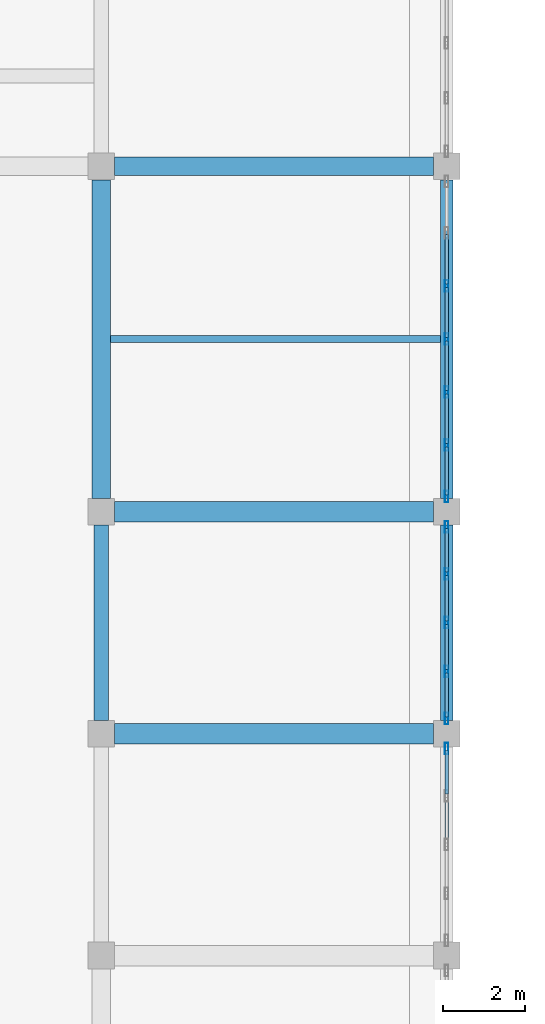
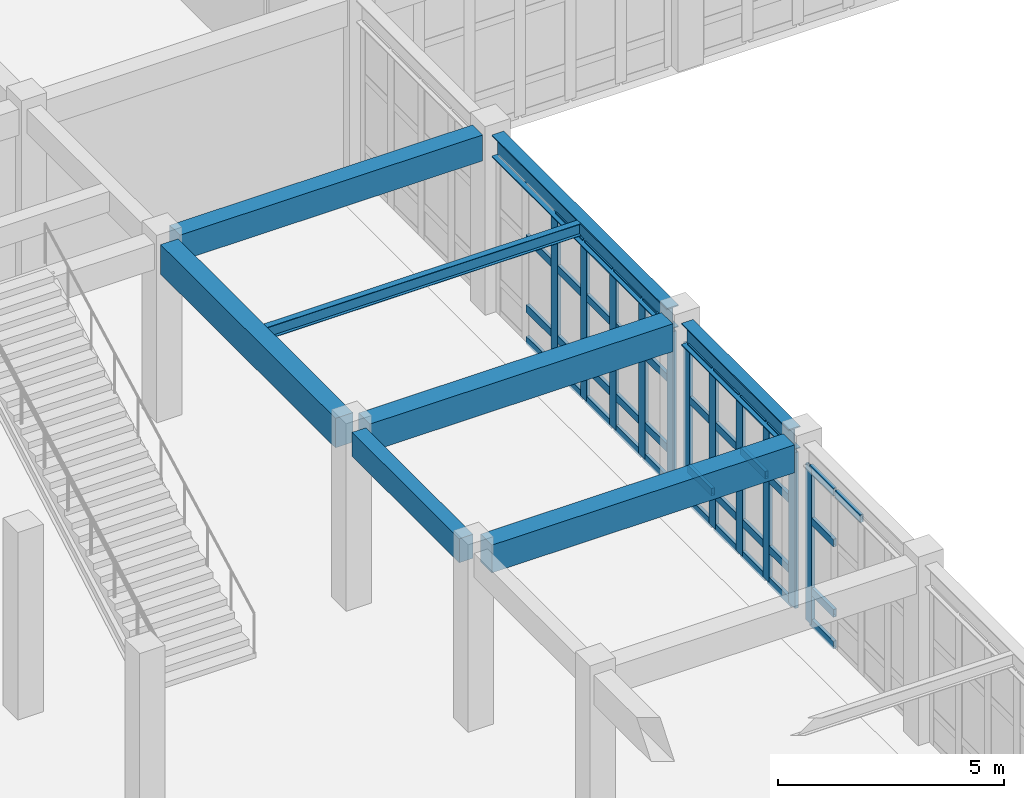
# One storey, part 28 of 80: 51 members, 8 beams, 3 elements without a shape of their own.
"""IFC4 building model written with IfcOpenShell, lengths in metres."""

from ifc_helpers import new_model, si_unit, direction, frame, origin, origin_2d, place, context, subcontext, project, spatial, rectangle, hollow_rectangle, i_section, extrude, material, layer, layer_set, material_profile, profile_set, type_object, element, aggregate, save


model = new_model("IFC4")

# Units and contexts
model_context = context("Model", 3, precision=1e-05, world=origin(), true_north=direction((0.0, 1.0)))
body_context = subcontext(model_context, "Body", "Model", "MODEL_VIEW")
ifc_project = project(units=[si_unit("LENGTHUNIT", "METRE"), si_unit("AREAUNIT", "SQUARE_METRE"), si_unit("VOLUMEUNIT", "CUBIC_METRE"), si_unit("PLANEANGLEUNIT", "RADIAN"), si_unit("MASSUNIT", "GRAM", prefix="KILO")], contexts=[model_context])

# Site, building, storey
site_placement = place(None, origin())
site = spatial("IfcSite", under=ifc_project, at=site_placement, CompositionType="ELEMENT")
building_placement = place(site_placement, origin())
building = spatial("IfcBuilding", under=site, at=building_placement, Name="Krzemoval Escarpment Law Courts", CompositionType="ELEMENT")
storey_placement = place(building_placement, origin())
storey = spatial("IfcBuildingStorey", under=building, at=storey_placement, Name="L00", CompositionType="ELEMENT", Elevation=0.0)

# Beams
ifc_material_1 = material(Name="Concrete C40/50", Category="concrete")
ifc_material_profile_1 = material_profile(ifc_material_1, rectangle(XDim=0.35009765625, YDim=0.64990234375, at=origin_2d()), Name="RCB 350x650")
ifc_profile_set_1 = profile_set([ifc_material_profile_1], Name="Concrete C40/50")
beam_type_1 = type_object("IfcBeamType", Name="BM-RC-350x650", PredefinedType="BEAM", material=ifc_profile_set_1)
beam_1_placement = place(storey_placement, frame((33.60009765625, 80.125, 4.4951171875), z_axis=(0.0, 1.0, 0.0), x_axis=(-1.0, 0.0, 0.0)))
element("IfcBeam", 1, at=beam_1_placement, inside=storey, type_object=beam_type_1, Name="Beam FG-L00-0872", PredefinedType="BEAM", context=body_context, shape_type="SweptSolid", body=[
    extrude(rectangle(XDim=0.35009765625, YDim=0.64990234375, at=origin_2d()), origin(), (0.0, 0.0, 1.0), 4.75),
])
ifc_material_2 = material(Name="Concrete C40/50", Category="concrete")
ifc_material_profile_2 = material_profile(ifc_material_2, rectangle(XDim=0.449951171875, YDim=0.699951171875, at=origin_2d()), Name="RCB 450x700")
ifc_profile_set_2 = profile_set([ifc_material_profile_2], Name="Concrete C40/50")
beam_type_2 = type_object("IfcBeamType", Name="BM-RC-450x700", PredefinedType="BEAM", material=ifc_profile_set_2)
beam_2_placement = place(storey_placement, frame((33.925048828125, 93.60009765625, 4.469970703125), z_axis=(1.0, 0.0, 0.0), x_axis=(0.0, 1.0, 0.0)))
element("IfcBeam", 2, at=beam_2_placement, inside=storey, type_object=beam_type_2, Name="Beam FG-L00-0733", PredefinedType="BEAM", context=body_context, shape_type="SweptSolid", body=[
    extrude(rectangle(XDim=0.449951171875, YDim=0.699951171875, at=origin_2d()), origin(), (0.0, 0.0, 1.0), 7.75),
])
ifc_material_3 = material(Name="Concrete C40/50", Category="concrete")
ifc_material_profile_3 = material_profile(ifc_material_3, rectangle(XDim=0.449951171875, YDim=0.800048828125, at=origin_2d()), Name="RCB 450x800")
ifc_profile_set_3 = profile_set([ifc_material_profile_3], Name="Concrete C40/50")
beam_type_3 = type_object("IfcBeamType", Name="BM-RC-450x800", PredefinedType="BEAM", material=ifc_profile_set_3)
beam_3_placement = place(storey_placement, frame((33.60009765625, 85.52490234375, 4.419921875), z_axis=(0.0, 1.0, 0.0), x_axis=(-1.0, 0.0, 0.0)))
element("IfcBeam", 3, at=beam_3_placement, inside=storey, type_object=beam_type_3, Name="Beam FG-L00-0873", PredefinedType="BEAM", context=body_context, shape_type="SweptSolid", body=[
    extrude(rectangle(XDim=0.449951171875, YDim=0.800048828125, at=origin_2d()), origin(), (0.0, 0.0, 1.0), 7.75),
])
ifc_material_4 = material(Name="Concrete C40/50", Category="concrete")
ifc_material_profile_4 = material_profile(ifc_material_4, rectangle(XDim=0.5, YDim=0.75, at=origin_2d()), Name="RCB 500x750")
ifc_profile_set_4 = profile_set([ifc_material_profile_4], Name="Concrete C40/50")
beam_type_4 = type_object("IfcBeamType", Name="BM-RC-500x750", PredefinedType="BEAM", material=ifc_profile_set_4)
for number, where, z_axis, x_axis, name in (
    (4, (33.925048828125, 79.800048828125, 4.445068359375), (1.0, 0.0, 0.0), (0.0, 1.0, 0.0), "Beam FG-L00-0723"),
    (5, (33.925048828125, 85.199951171875, 4.445068359375), (1.0, 0.0, 0.0), (0.0, 1.0, 0.0), "Beam FG-L00-0727"),
):
    element("IfcBeam", number, at=place(storey_placement, frame(where, z_axis=z_axis, x_axis=x_axis)), inside=storey, type_object=beam_type_4, Name=name, PredefinedType="BEAM", context=body_context, shape_type="SweptSolid", body=[
        extrude(rectangle(XDim=0.5, YDim=0.75, at=origin_2d()), origin(), (0.0, 0.0, 1.0), 7.75),
    ])

# Curtain wall, members
ifc_material_5 = material(Name="Aluminium 6063-T6", Category="aluminium")
ifc_layer = layer(ifc_material_5, 0.280029296875)
ifc_layer_set = layer_set([ifc_layer], Name="Aluminium 6063-T6")
curtain_wall_type = type_object("IfcCurtainWallType", Name="CW-HALL-5100", PredefinedType="USERDEFINED", material=ifc_layer_set)
curtain_wall_1_placement = place(storey_placement, origin())
curtain_wall_1 = element("IfcCurtainWall", 6, at=curtain_wall_1_placement, inside=storey, type_object=curtain_wall_type, Name="Unitised Curtain Wall FCW-L00-016", ObjectType="UNITISED_CURTAIN_WALL", PredefinedType="USERDEFINED")
ifc_material_6 = material(Name="Aluminium 6063-T6", Category="aluminium")
ifc_material_profile_5 = material_profile(ifc_material_6, hollow_rectangle(XDim=0.0849609375, YDim=0.280029296875, WallThickness=0.005615234375, at=origin_2d()), Name="ALU M85x280")
ifc_profile_set_5 = profile_set([ifc_material_profile_5], Name="Aluminium 6063-T6")
member_type_1 = type_object("IfcMemberType", Name="CWM-85x280", PredefinedType="MULLION", material=ifc_profile_set_5)
member_1_placement = place(storey_placement, frame((42.0, 90.691650390625, 0.0), z_axis=(0.0, 0.0, 1.0), x_axis=(1.0, 0.0, 0.0)))
member_1 = element("IfcMember", 7, at=member_1_placement, type_object=member_type_1, Name="FCW-L00-016 mullion 3", PredefinedType="MULLION", context=body_context, shape_type="SweptSolid", body=[
    extrude(hollow_rectangle(XDim=0.0849609375, YDim=0.280029296875, WallThickness=0.005615234375, at=origin_2d()), origin(), (0.0, 0.0, 1.0), 4.219970703125),
])
member_2_placement = place(storey_placement, frame((42.0, 89.39990234375, 0.0), z_axis=(0.0, 0.0, 1.0), x_axis=(1.0, 0.0, 0.0)))
member_2 = element("IfcMember", 8, at=member_2_placement, type_object=member_type_1, Name="FCW-L00-016 mullion 4", PredefinedType="MULLION", context=body_context, shape_type="SweptSolid", body=[
    extrude(hollow_rectangle(XDim=0.0849609375, YDim=0.280029296875, WallThickness=0.005615234375, at=origin_2d()), origin(), (0.0, 0.0, 1.0), 4.219970703125),
])
member_3_placement = place(storey_placement, frame((42.0, 88.1083984375, 0.0), z_axis=(0.0, 0.0, 1.0), x_axis=(1.0, 0.0, 0.0)))
member_3 = element("IfcMember", 9, at=member_3_placement, type_object=member_type_1, Name="FCW-L00-016 mullion 5", PredefinedType="MULLION", context=body_context, shape_type="SweptSolid", body=[
    extrude(hollow_rectangle(XDim=0.0849609375, YDim=0.280029296875, WallThickness=0.005615234375, at=origin_2d()), origin(), (0.0, 0.0, 1.0), 4.219970703125),
])
member_4_placement = place(storey_placement, frame((42.0, 86.816650390625, 0.0), z_axis=(0.0, 0.0, 1.0), x_axis=(1.0, 0.0, 0.0)))
member_4 = element("IfcMember", 10, at=member_4_placement, type_object=member_type_1, Name="FCW-L00-016 mullion 6", PredefinedType="MULLION", context=body_context, shape_type="SweptSolid", body=[
    extrude(hollow_rectangle(XDim=0.0849609375, YDim=0.280029296875, WallThickness=0.005615234375, at=origin_2d()), origin(), (0.0, 0.0, 1.0), 4.219970703125),
])
member_5_placement = place(storey_placement, frame((42.0, 85.5673828125, 0.0), z_axis=(0.0, 0.0, 1.0), x_axis=(1.0, 0.0, 0.0)))
member_5 = element("IfcMember", 11, at=member_5_placement, type_object=member_type_1, Name="FCW-L00-016 mullion 7", PredefinedType="MULLION", context=body_context, shape_type="SweptSolid", body=[
    extrude(hollow_rectangle(XDim=0.0849609375, YDim=0.280029296875, WallThickness=0.005615234375, at=origin_2d()), origin(), (0.0, 0.0, 1.0), 4.219970703125),
])

curtain_wall_2_placement = place(storey_placement, origin())
curtain_wall_2 = element("IfcCurtainWall", 12, at=curtain_wall_2_placement, inside=storey, type_object=curtain_wall_type, Name="Unitised Curtain Wall FCW-L00-017", ObjectType="UNITISED_CURTAIN_WALL", PredefinedType="USERDEFINED")
member_6_placement = place(storey_placement, frame((42.0, 84.83251953125, 0.0), z_axis=(0.0, 0.0, 1.0), x_axis=(1.0, 0.0, 0.0)))
member_6 = element("IfcMember", 13, at=member_6_placement, type_object=member_type_1, Name="FCW-L00-017 mullion 1", PredefinedType="MULLION", context=body_context, shape_type="SweptSolid", body=[
    extrude(hollow_rectangle(XDim=0.0849609375, YDim=0.280029296875, WallThickness=0.005615234375, at=origin_2d()), origin(), (0.0, 0.0, 1.0), 4.219970703125),
])
member_7_placement = place(storey_placement, frame((42.0, 83.6875, 0.0), z_axis=(0.0, 0.0, 1.0), x_axis=(1.0, 0.0, 0.0)))
member_7 = element("IfcMember", 14, at=member_7_placement, type_object=member_type_1, Name="FCW-L00-017 mullion 2", PredefinedType="MULLION", context=body_context, shape_type="SweptSolid", body=[
    extrude(hollow_rectangle(XDim=0.0849609375, YDim=0.280029296875, WallThickness=0.005615234375, at=origin_2d()), origin(), (0.0, 0.0, 1.0), 4.219970703125),
])
member_8_placement = place(storey_placement, frame((42.0, 82.5, 0.0), z_axis=(0.0, 0.0, 1.0), x_axis=(1.0, 0.0, 0.0)))
member_8 = element("IfcMember", 15, at=member_8_placement, type_object=member_type_1, Name="FCW-L00-017 mullion 3", PredefinedType="MULLION", context=body_context, shape_type="SweptSolid", body=[
    extrude(hollow_rectangle(XDim=0.0849609375, YDim=0.280029296875, WallThickness=0.005615234375, at=origin_2d()), origin(), (0.0, 0.0, 1.0), 4.219970703125),
])
member_9_placement = place(storey_placement, frame((42.0, 81.3125, 0.0), z_axis=(0.0, 0.0, 1.0), x_axis=(1.0, 0.0, 0.0)))
member_9 = element("IfcMember", 16, at=member_9_placement, type_object=member_type_1, Name="FCW-L00-017 mullion 4", PredefinedType="MULLION", context=body_context, shape_type="SweptSolid", body=[
    extrude(hollow_rectangle(XDim=0.0849609375, YDim=0.280029296875, WallThickness=0.005615234375, at=origin_2d()), origin(), (0.0, 0.0, 1.0), 4.219970703125),
])
member_10_placement = place(storey_placement, frame((42.0, 80.16748046875, 0.0), z_axis=(0.0, 0.0, 1.0), x_axis=(1.0, 0.0, 0.0)))
member_10 = element("IfcMember", 17, at=member_10_placement, type_object=member_type_1, Name="FCW-L00-017 mullion 5", PredefinedType="MULLION", context=body_context, shape_type="SweptSolid", body=[
    extrude(hollow_rectangle(XDim=0.0849609375, YDim=0.280029296875, WallThickness=0.005615234375, at=origin_2d()), origin(), (0.0, 0.0, 1.0), 4.219970703125),
])

# Curtain wall, member
curtain_wall_3_placement = place(storey_placement, origin())
curtain_wall_3 = element("IfcCurtainWall", 18, at=curtain_wall_3_placement, inside=storey, type_object=curtain_wall_type, Name="Unitised Curtain Wall FCW-L00-018", ObjectType="UNITISED_CURTAIN_WALL", PredefinedType="USERDEFINED")
member_11_placement = place(storey_placement, frame((42.0, 79.4326171875, 0.0), z_axis=(0.0, 0.0, 1.0), x_axis=(1.0, 0.0, 0.0)))
member_11 = element("IfcMember", 19, at=member_11_placement, type_object=member_type_1, Name="FCW-L00-018 mullion 1", PredefinedType="MULLION", context=body_context, shape_type="SweptSolid", body=[
    extrude(hollow_rectangle(XDim=0.0849609375, YDim=0.280029296875, WallThickness=0.005615234375, at=origin_2d()), origin(), (0.0, 0.0, 1.0), 4.219970703125),
])

# Member
ifc_material_7 = material(Name="Aluminium 6063-T6", Category="aluminium")
ifc_material_profile_6 = material_profile(ifc_material_7, hollow_rectangle(XDim=0.0849609375, YDim=0.2099609375, WallThickness=0.005615234375, at=origin_2d()), Name="ALU T85x210")
ifc_profile_set_6 = profile_set([ifc_material_profile_6], Name="Aluminium 6063-T6")
member_type_2 = type_object("IfcMemberType", Name="CWT-85x210", PredefinedType="USERDEFINED", material=ifc_profile_set_6)
member_12_placement = place(storey_placement, frame((42.0, 91.94091796875, 0.04248046875), z_axis=(0.0, -1.0, 0.0), x_axis=(1.0, 0.0, 0.0)))
member_12 = element("IfcMember", 20, at=member_12_placement, type_object=member_type_2, Name="FCW-L00-016 transom 2.1", ObjectType="TRANSOM", PredefinedType="USERDEFINED", context=body_context, shape_type="SweptSolid", body=[
    extrude(hollow_rectangle(XDim=0.0849609375, YDim=0.2099609375, WallThickness=0.005615234375, at=origin_2d()), origin(), (0.0, 0.0, 1.0), 1.206787109375),
])

member_13_placement = place(storey_placement, frame((42.0, 91.94091796875, 0.89990234375), z_axis=(0.0, -1.0, 0.0), x_axis=(1.0, 0.0, 0.0)))
member_13 = element("IfcMember", 21, at=member_13_placement, type_object=member_type_2, Name="FCW-L00-016 transom 2.2", ObjectType="TRANSOM", PredefinedType="USERDEFINED", context=body_context, shape_type="SweptSolid", body=[
    extrude(hollow_rectangle(XDim=0.0849609375, YDim=0.2099609375, WallThickness=0.005615234375, at=origin_2d()), origin(), (0.0, 0.0, 1.0), 1.206787109375),
])

member_14_placement = place(storey_placement, frame((42.0, 91.94091796875, 2.800048828125), z_axis=(0.0, -1.0, 0.0), x_axis=(1.0, 0.0, 0.0)))
member_14 = element("IfcMember", 22, at=member_14_placement, type_object=member_type_2, Name="FCW-L00-016 transom 2.3", ObjectType="TRANSOM", PredefinedType="USERDEFINED", context=body_context, shape_type="SweptSolid", body=[
    extrude(hollow_rectangle(XDim=0.0849609375, YDim=0.2099609375, WallThickness=0.005615234375, at=origin_2d()), origin(), (0.0, 0.0, 1.0), 1.206787109375),
])

member_15_placement = place(storey_placement, frame((42.0, 90.649169921875, 0.04248046875), z_axis=(0.0, -1.0, 0.0), x_axis=(1.0, 0.0, 0.0)))
member_15 = element("IfcMember", 23, at=member_15_placement, type_object=member_type_2, Name="FCW-L00-016 transom 3.1", ObjectType="TRANSOM", PredefinedType="USERDEFINED", context=body_context, shape_type="SweptSolid", body=[
    extrude(hollow_rectangle(XDim=0.0849609375, YDim=0.2099609375, WallThickness=0.005615234375, at=origin_2d()), origin(), (0.0, 0.0, 1.0), 1.206787109375),
])

member_16_placement = place(storey_placement, frame((42.0, 90.649169921875, 0.89990234375), z_axis=(0.0, -1.0, 0.0), x_axis=(1.0, 0.0, 0.0)))
member_16 = element("IfcMember", 24, at=member_16_placement, type_object=member_type_2, Name="FCW-L00-016 transom 3.2", ObjectType="TRANSOM", PredefinedType="USERDEFINED", context=body_context, shape_type="SweptSolid", body=[
    extrude(hollow_rectangle(XDim=0.0849609375, YDim=0.2099609375, WallThickness=0.005615234375, at=origin_2d()), origin(), (0.0, 0.0, 1.0), 1.206787109375),
])

member_17_placement = place(storey_placement, frame((42.0, 90.649169921875, 2.800048828125), z_axis=(0.0, -1.0, 0.0), x_axis=(1.0, 0.0, 0.0)))
member_17 = element("IfcMember", 25, at=member_17_placement, type_object=member_type_2, Name="FCW-L00-016 transom 3.3", ObjectType="TRANSOM", PredefinedType="USERDEFINED", context=body_context, shape_type="SweptSolid", body=[
    extrude(hollow_rectangle(XDim=0.0849609375, YDim=0.2099609375, WallThickness=0.005615234375, at=origin_2d()), origin(), (0.0, 0.0, 1.0), 1.206787109375),
])

member_18_placement = place(storey_placement, frame((42.0, 90.649169921875, 4.177490234375), z_axis=(0.0, -1.0, 0.0), x_axis=(1.0, 0.0, 0.0)))
member_18 = element("IfcMember", 26, at=member_18_placement, type_object=member_type_2, Name="FCW-L00-016 transom 3.4", ObjectType="TRANSOM", PredefinedType="USERDEFINED", context=body_context, shape_type="SweptSolid", body=[
    extrude(hollow_rectangle(XDim=0.0849609375, YDim=0.2099609375, WallThickness=0.005615234375, at=origin_2d()), origin(), (0.0, 0.0, 1.0), 1.206787109375),
])

member_19_placement = place(storey_placement, frame((42.0, 89.357421875, 0.04248046875), z_axis=(0.0, -1.0, 0.0), x_axis=(1.0, 0.0, 0.0)))
member_19 = element("IfcMember", 27, at=member_19_placement, type_object=member_type_2, Name="FCW-L00-016 transom 4.1", ObjectType="TRANSOM", PredefinedType="USERDEFINED", context=body_context, shape_type="SweptSolid", body=[
    extrude(hollow_rectangle(XDim=0.0849609375, YDim=0.2099609375, WallThickness=0.005615234375, at=origin_2d()), origin(), (0.0, 0.0, 1.0), 1.20654296875),
])

member_20_placement = place(storey_placement, frame((42.0, 89.357421875, 0.89990234375), z_axis=(0.0, -1.0, 0.0), x_axis=(1.0, 0.0, 0.0)))
member_20 = element("IfcMember", 28, at=member_20_placement, type_object=member_type_2, Name="FCW-L00-016 transom 4.2", ObjectType="TRANSOM", PredefinedType="USERDEFINED", context=body_context, shape_type="SweptSolid", body=[
    extrude(hollow_rectangle(XDim=0.0849609375, YDim=0.2099609375, WallThickness=0.005615234375, at=origin_2d()), origin(), (0.0, 0.0, 1.0), 1.20654296875),
])

member_21_placement = place(storey_placement, frame((42.0, 89.357421875, 2.800048828125), z_axis=(0.0, -1.0, 0.0), x_axis=(1.0, 0.0, 0.0)))
member_21 = element("IfcMember", 29, at=member_21_placement, type_object=member_type_2, Name="FCW-L00-016 transom 4.3", ObjectType="TRANSOM", PredefinedType="USERDEFINED", context=body_context, shape_type="SweptSolid", body=[
    extrude(hollow_rectangle(XDim=0.0849609375, YDim=0.2099609375, WallThickness=0.005615234375, at=origin_2d()), origin(), (0.0, 0.0, 1.0), 1.20654296875),
])

member_22_placement = place(storey_placement, frame((42.0, 89.357421875, 4.177490234375), z_axis=(0.0, -1.0, 0.0), x_axis=(1.0, 0.0, 0.0)))
member_22 = element("IfcMember", 30, at=member_22_placement, type_object=member_type_2, Name="FCW-L00-016 transom 4.4", ObjectType="TRANSOM", PredefinedType="USERDEFINED", context=body_context, shape_type="SweptSolid", body=[
    extrude(hollow_rectangle(XDim=0.0849609375, YDim=0.2099609375, WallThickness=0.005615234375, at=origin_2d()), origin(), (0.0, 0.0, 1.0), 1.20654296875),
])

member_23_placement = place(storey_placement, frame((42.0, 88.06591796875, 0.04248046875), z_axis=(0.0, -1.0, 0.0), x_axis=(1.0, 0.0, 0.0)))
member_23 = element("IfcMember", 31, at=member_23_placement, type_object=member_type_2, Name="FCW-L00-016 transom 5.1", ObjectType="TRANSOM", PredefinedType="USERDEFINED", context=body_context, shape_type="SweptSolid", body=[
    extrude(hollow_rectangle(XDim=0.0849609375, YDim=0.2099609375, WallThickness=0.005615234375, at=origin_2d()), origin(), (0.0, 0.0, 1.0), 1.206787109375),
])

member_24_placement = place(storey_placement, frame((42.0, 88.06591796875, 0.89990234375), z_axis=(0.0, -1.0, 0.0), x_axis=(1.0, 0.0, 0.0)))
member_24 = element("IfcMember", 32, at=member_24_placement, type_object=member_type_2, Name="FCW-L00-016 transom 5.2", ObjectType="TRANSOM", PredefinedType="USERDEFINED", context=body_context, shape_type="SweptSolid", body=[
    extrude(hollow_rectangle(XDim=0.0849609375, YDim=0.2099609375, WallThickness=0.005615234375, at=origin_2d()), origin(), (0.0, 0.0, 1.0), 1.206787109375),
])

member_25_placement = place(storey_placement, frame((42.0, 88.06591796875, 2.800048828125), z_axis=(0.0, -1.0, 0.0), x_axis=(1.0, 0.0, 0.0)))
member_25 = element("IfcMember", 33, at=member_25_placement, type_object=member_type_2, Name="FCW-L00-016 transom 5.3", ObjectType="TRANSOM", PredefinedType="USERDEFINED", context=body_context, shape_type="SweptSolid", body=[
    extrude(hollow_rectangle(XDim=0.0849609375, YDim=0.2099609375, WallThickness=0.005615234375, at=origin_2d()), origin(), (0.0, 0.0, 1.0), 1.206787109375),
])

member_26_placement = place(storey_placement, frame((42.0, 88.06591796875, 4.177490234375), z_axis=(0.0, -1.0, 0.0), x_axis=(1.0, 0.0, 0.0)))
member_26 = element("IfcMember", 34, at=member_26_placement, type_object=member_type_2, Name="FCW-L00-016 transom 5.4", ObjectType="TRANSOM", PredefinedType="USERDEFINED", context=body_context, shape_type="SweptSolid", body=[
    extrude(hollow_rectangle(XDim=0.0849609375, YDim=0.2099609375, WallThickness=0.005615234375, at=origin_2d()), origin(), (0.0, 0.0, 1.0), 1.206787109375),
])

member_27_placement = place(storey_placement, frame((42.0, 86.774169921875, 0.04248046875), z_axis=(0.0, -1.0, 0.0), x_axis=(1.0, 0.0, 0.0)))
member_27 = element("IfcMember", 35, at=member_27_placement, type_object=member_type_2, Name="FCW-L00-016 transom 6.1", ObjectType="TRANSOM", PredefinedType="USERDEFINED", context=body_context, shape_type="SweptSolid", body=[
    extrude(hollow_rectangle(XDim=0.0849609375, YDim=0.2099609375, WallThickness=0.005615234375, at=origin_2d()), origin(), (0.0, 0.0, 1.0), 1.1640625),
])

member_28_placement = place(storey_placement, frame((42.0, 86.774169921875, 0.89990234375), z_axis=(0.0, -1.0, 0.0), x_axis=(1.0, 0.0, 0.0)))
member_28 = element("IfcMember", 36, at=member_28_placement, type_object=member_type_2, Name="FCW-L00-016 transom 6.2", ObjectType="TRANSOM", PredefinedType="USERDEFINED", context=body_context, shape_type="SweptSolid", body=[
    extrude(hollow_rectangle(XDim=0.0849609375, YDim=0.2099609375, WallThickness=0.005615234375, at=origin_2d()), origin(), (0.0, 0.0, 1.0), 1.1640625),
])

member_29_placement = place(storey_placement, frame((42.0, 86.774169921875, 2.800048828125), z_axis=(0.0, -1.0, 0.0), x_axis=(1.0, 0.0, 0.0)))
member_29 = element("IfcMember", 37, at=member_29_placement, type_object=member_type_2, Name="FCW-L00-016 transom 6.3", ObjectType="TRANSOM", PredefinedType="USERDEFINED", context=body_context, shape_type="SweptSolid", body=[
    extrude(hollow_rectangle(XDim=0.0849609375, YDim=0.2099609375, WallThickness=0.005615234375, at=origin_2d()), origin(), (0.0, 0.0, 1.0), 1.1640625),
])

member_30_placement = place(storey_placement, frame((42.0, 86.774169921875, 4.177490234375), z_axis=(0.0, -1.0, 0.0), x_axis=(1.0, 0.0, 0.0)))
member_30 = element("IfcMember", 38, at=member_30_placement, type_object=member_type_2, Name="FCW-L00-016 transom 6.4", ObjectType="TRANSOM", PredefinedType="USERDEFINED", context=body_context, shape_type="SweptSolid", body=[
    extrude(hollow_rectangle(XDim=0.0849609375, YDim=0.2099609375, WallThickness=0.005615234375, at=origin_2d()), origin(), (0.0, 0.0, 1.0), 1.1640625),
])

aggregate(curtain_wall_1, [member_1, member_2, member_3, member_4, member_5, member_12, member_13, member_14, member_15, member_16, member_17, member_18, member_19, member_20, member_21, member_22, member_23, member_24, member_25, member_26, member_27, member_28, member_29, member_30])

member_31_placement = place(storey_placement, frame((42.0, 84.7900390625, 0.04248046875), z_axis=(0.0, -1.0, 0.0), x_axis=(1.0, 0.0, 0.0)))
member_31 = element("IfcMember", 39, at=member_31_placement, type_object=member_type_2, Name="FCW-L00-017 transom 1.1", ObjectType="TRANSOM", PredefinedType="USERDEFINED", context=body_context, shape_type="SweptSolid", body=[
    extrude(hollow_rectangle(XDim=0.0849609375, YDim=0.2099609375, WallThickness=0.005615234375, at=origin_2d()), origin(), (0.0, 0.0, 1.0), 1.06005859375),
])

member_32_placement = place(storey_placement, frame((42.0, 84.7900390625, 0.89990234375), z_axis=(0.0, -1.0, 0.0), x_axis=(1.0, 0.0, 0.0)))
member_32 = element("IfcMember", 40, at=member_32_placement, type_object=member_type_2, Name="FCW-L00-017 transom 1.2", ObjectType="TRANSOM", PredefinedType="USERDEFINED", context=body_context, shape_type="SweptSolid", body=[
    extrude(hollow_rectangle(XDim=0.0849609375, YDim=0.2099609375, WallThickness=0.005615234375, at=origin_2d()), origin(), (0.0, 0.0, 1.0), 1.06005859375),
])

member_33_placement = place(storey_placement, frame((42.0, 84.7900390625, 2.800048828125), z_axis=(0.0, -1.0, 0.0), x_axis=(1.0, 0.0, 0.0)))
member_33 = element("IfcMember", 41, at=member_33_placement, type_object=member_type_2, Name="FCW-L00-017 transom 1.3", ObjectType="TRANSOM", PredefinedType="USERDEFINED", context=body_context, shape_type="SweptSolid", body=[
    extrude(hollow_rectangle(XDim=0.0849609375, YDim=0.2099609375, WallThickness=0.005615234375, at=origin_2d()), origin(), (0.0, 0.0, 1.0), 1.06005859375),
])

member_34_placement = place(storey_placement, frame((42.0, 84.7900390625, 4.177490234375), z_axis=(0.0, -1.0, 0.0), x_axis=(1.0, 0.0, 0.0)))
member_34 = element("IfcMember", 42, at=member_34_placement, type_object=member_type_2, Name="FCW-L00-017 transom 1.4", ObjectType="TRANSOM", PredefinedType="USERDEFINED", context=body_context, shape_type="SweptSolid", body=[
    extrude(hollow_rectangle(XDim=0.0849609375, YDim=0.2099609375, WallThickness=0.005615234375, at=origin_2d()), origin(), (0.0, 0.0, 1.0), 1.06005859375),
])

member_35_placement = place(storey_placement, frame((42.0, 83.64501953125, 0.04248046875), z_axis=(0.0, -1.0, 0.0), x_axis=(1.0, 0.0, 0.0)))
member_35 = element("IfcMember", 43, at=member_35_placement, type_object=member_type_2, Name="FCW-L00-017 transom 2.1", ObjectType="TRANSOM", PredefinedType="USERDEFINED", context=body_context, shape_type="SweptSolid", body=[
    extrude(hollow_rectangle(XDim=0.0849609375, YDim=0.2099609375, WallThickness=0.005615234375, at=origin_2d()), origin(), (0.0, 0.0, 1.0), 1.1025390625),
])

member_36_placement = place(storey_placement, frame((42.0, 83.64501953125, 0.89990234375), z_axis=(0.0, -1.0, 0.0), x_axis=(1.0, 0.0, 0.0)))
member_36 = element("IfcMember", 44, at=member_36_placement, type_object=member_type_2, Name="FCW-L00-017 transom 2.2", ObjectType="TRANSOM", PredefinedType="USERDEFINED", context=body_context, shape_type="SweptSolid", body=[
    extrude(hollow_rectangle(XDim=0.0849609375, YDim=0.2099609375, WallThickness=0.005615234375, at=origin_2d()), origin(), (0.0, 0.0, 1.0), 1.1025390625),
])

member_37_placement = place(storey_placement, frame((42.0, 83.64501953125, 2.800048828125), z_axis=(0.0, -1.0, 0.0), x_axis=(1.0, 0.0, 0.0)))
member_37 = element("IfcMember", 45, at=member_37_placement, type_object=member_type_2, Name="FCW-L00-017 transom 2.3", ObjectType="TRANSOM", PredefinedType="USERDEFINED", context=body_context, shape_type="SweptSolid", body=[
    extrude(hollow_rectangle(XDim=0.0849609375, YDim=0.2099609375, WallThickness=0.005615234375, at=origin_2d()), origin(), (0.0, 0.0, 1.0), 1.1025390625),
])

member_38_placement = place(storey_placement, frame((42.0, 83.64501953125, 4.177490234375), z_axis=(0.0, -1.0, 0.0), x_axis=(1.0, 0.0, 0.0)))
member_38 = element("IfcMember", 46, at=member_38_placement, type_object=member_type_2, Name="FCW-L00-017 transom 2.4", ObjectType="TRANSOM", PredefinedType="USERDEFINED", context=body_context, shape_type="SweptSolid", body=[
    extrude(hollow_rectangle(XDim=0.0849609375, YDim=0.2099609375, WallThickness=0.005615234375, at=origin_2d()), origin(), (0.0, 0.0, 1.0), 1.1025390625),
])

member_39_placement = place(storey_placement, frame((42.0, 82.45751953125, 0.04248046875), z_axis=(0.0, -1.0, 0.0), x_axis=(1.0, 0.0, 0.0)))
member_39 = element("IfcMember", 47, at=member_39_placement, type_object=member_type_2, Name="FCW-L00-017 transom 3.1", ObjectType="TRANSOM", PredefinedType="USERDEFINED", context=body_context, shape_type="SweptSolid", body=[
    extrude(hollow_rectangle(XDim=0.0849609375, YDim=0.2099609375, WallThickness=0.005615234375, at=origin_2d()), origin(), (0.0, 0.0, 1.0), 1.1025390625),
])

member_40_placement = place(storey_placement, frame((42.0, 82.45751953125, 0.89990234375), z_axis=(0.0, -1.0, 0.0), x_axis=(1.0, 0.0, 0.0)))
member_40 = element("IfcMember", 48, at=member_40_placement, type_object=member_type_2, Name="FCW-L00-017 transom 3.2", ObjectType="TRANSOM", PredefinedType="USERDEFINED", context=body_context, shape_type="SweptSolid", body=[
    extrude(hollow_rectangle(XDim=0.0849609375, YDim=0.2099609375, WallThickness=0.005615234375, at=origin_2d()), origin(), (0.0, 0.0, 1.0), 1.1025390625),
])

member_41_placement = place(storey_placement, frame((42.0, 82.45751953125, 2.800048828125), z_axis=(0.0, -1.0, 0.0), x_axis=(1.0, 0.0, 0.0)))
member_41 = element("IfcMember", 49, at=member_41_placement, type_object=member_type_2, Name="FCW-L00-017 transom 3.3", ObjectType="TRANSOM", PredefinedType="USERDEFINED", context=body_context, shape_type="SweptSolid", body=[
    extrude(hollow_rectangle(XDim=0.0849609375, YDim=0.2099609375, WallThickness=0.005615234375, at=origin_2d()), origin(), (0.0, 0.0, 1.0), 1.1025390625),
])

member_42_placement = place(storey_placement, frame((42.0, 82.45751953125, 4.177490234375), z_axis=(0.0, -1.0, 0.0), x_axis=(1.0, 0.0, 0.0)))
member_42 = element("IfcMember", 50, at=member_42_placement, type_object=member_type_2, Name="FCW-L00-017 transom 3.4", ObjectType="TRANSOM", PredefinedType="USERDEFINED", context=body_context, shape_type="SweptSolid", body=[
    extrude(hollow_rectangle(XDim=0.0849609375, YDim=0.2099609375, WallThickness=0.005615234375, at=origin_2d()), origin(), (0.0, 0.0, 1.0), 1.1025390625),
])

member_43_placement = place(storey_placement, frame((42.0, 81.27001953125, 0.04248046875), z_axis=(0.0, -1.0, 0.0), x_axis=(1.0, 0.0, 0.0)))
member_43 = element("IfcMember", 51, at=member_43_placement, type_object=member_type_2, Name="FCW-L00-017 transom 4.1", ObjectType="TRANSOM", PredefinedType="USERDEFINED", context=body_context, shape_type="SweptSolid", body=[
    extrude(hollow_rectangle(XDim=0.0849609375, YDim=0.2099609375, WallThickness=0.005615234375, at=origin_2d()), origin(), (0.0, 0.0, 1.0), 1.06005859375),
])

member_44_placement = place(storey_placement, frame((42.0, 81.27001953125, 0.89990234375), z_axis=(0.0, -1.0, 0.0), x_axis=(1.0, 0.0, 0.0)))
member_44 = element("IfcMember", 52, at=member_44_placement, type_object=member_type_2, Name="FCW-L00-017 transom 4.2", ObjectType="TRANSOM", PredefinedType="USERDEFINED", context=body_context, shape_type="SweptSolid", body=[
    extrude(hollow_rectangle(XDim=0.0849609375, YDim=0.2099609375, WallThickness=0.005615234375, at=origin_2d()), origin(), (0.0, 0.0, 1.0), 1.06005859375),
])

member_45_placement = place(storey_placement, frame((42.0, 81.27001953125, 2.800048828125), z_axis=(0.0, -1.0, 0.0), x_axis=(1.0, 0.0, 0.0)))
member_45 = element("IfcMember", 53, at=member_45_placement, type_object=member_type_2, Name="FCW-L00-017 transom 4.3", ObjectType="TRANSOM", PredefinedType="USERDEFINED", context=body_context, shape_type="SweptSolid", body=[
    extrude(hollow_rectangle(XDim=0.0849609375, YDim=0.2099609375, WallThickness=0.005615234375, at=origin_2d()), origin(), (0.0, 0.0, 1.0), 1.06005859375),
])

member_46_placement = place(storey_placement, frame((42.0, 81.27001953125, 4.177490234375), z_axis=(0.0, -1.0, 0.0), x_axis=(1.0, 0.0, 0.0)))
member_46 = element("IfcMember", 54, at=member_46_placement, type_object=member_type_2, Name="FCW-L00-017 transom 4.4", ObjectType="TRANSOM", PredefinedType="USERDEFINED", context=body_context, shape_type="SweptSolid", body=[
    extrude(hollow_rectangle(XDim=0.0849609375, YDim=0.2099609375, WallThickness=0.005615234375, at=origin_2d()), origin(), (0.0, 0.0, 1.0), 1.06005859375),
])

aggregate(curtain_wall_2, [member_6, member_7, member_8, member_9, member_10, member_31, member_32, member_33, member_34, member_35, member_36, member_37, member_38, member_39, member_40, member_41, member_42, member_43, member_44, member_45, member_46])

member_47_placement = place(storey_placement, frame((42.0, 79.389892578125, 0.04248046875), z_axis=(0.0, -1.0, 0.0), x_axis=(1.0, 0.0, 0.0)))
member_47 = element("IfcMember", 55, at=member_47_placement, type_object=member_type_2, Name="FCW-L00-018 transom 1.1", ObjectType="TRANSOM", PredefinedType="USERDEFINED", context=body_context, shape_type="SweptSolid", body=[
    extrude(hollow_rectangle(XDim=0.0849609375, YDim=0.2099609375, WallThickness=0.005615234375, at=origin_2d()), origin(), (0.0, 0.0, 1.0), 1.059814453125),
])

member_48_placement = place(storey_placement, frame((42.0, 79.389892578125, 0.89990234375), z_axis=(0.0, -1.0, 0.0), x_axis=(1.0, 0.0, 0.0)))
member_48 = element("IfcMember", 56, at=member_48_placement, type_object=member_type_2, Name="FCW-L00-018 transom 1.2", ObjectType="TRANSOM", PredefinedType="USERDEFINED", context=body_context, shape_type="SweptSolid", body=[
    extrude(hollow_rectangle(XDim=0.0849609375, YDim=0.2099609375, WallThickness=0.005615234375, at=origin_2d()), origin(), (0.0, 0.0, 1.0), 1.059814453125),
])

member_49_placement = place(storey_placement, frame((42.0, 79.389892578125, 2.800048828125), z_axis=(0.0, -1.0, 0.0), x_axis=(1.0, 0.0, 0.0)))
member_49 = element("IfcMember", 57, at=member_49_placement, type_object=member_type_2, Name="FCW-L00-018 transom 1.3", ObjectType="TRANSOM", PredefinedType="USERDEFINED", context=body_context, shape_type="SweptSolid", body=[
    extrude(hollow_rectangle(XDim=0.0849609375, YDim=0.2099609375, WallThickness=0.005615234375, at=origin_2d()), origin(), (0.0, 0.0, 1.0), 1.059814453125),
])

member_50_placement = place(storey_placement, frame((42.0, 79.389892578125, 4.177490234375), z_axis=(0.0, -1.0, 0.0), x_axis=(1.0, 0.0, 0.0)))
member_50 = element("IfcMember", 58, at=member_50_placement, type_object=member_type_2, Name="FCW-L00-018 transom 1.4", ObjectType="TRANSOM", PredefinedType="USERDEFINED", context=body_context, shape_type="SweptSolid", body=[
    extrude(hollow_rectangle(XDim=0.0849609375, YDim=0.2099609375, WallThickness=0.005615234375, at=origin_2d()), origin(), (0.0, 0.0, 1.0), 1.059814453125),
])

member_51_placement = place(storey_placement, frame((42.0, 78.2451171875, 4.177490234375), z_axis=(0.0, -1.0, 0.0), x_axis=(1.0, 0.0, 0.0)))
member_51 = element("IfcMember", 59, at=member_51_placement, type_object=member_type_2, Name="FCW-L00-018 transom 2.4", ObjectType="TRANSOM", PredefinedType="USERDEFINED", context=body_context, shape_type="SweptSolid", body=[
    extrude(hollow_rectangle(XDim=0.0849609375, YDim=0.2099609375, WallThickness=0.005615234375, at=origin_2d()), origin(), (0.0, 0.0, 1.0), 1.1025390625),
])

aggregate(curtain_wall_3, [member_11, member_47, member_48, member_49, member_50, member_51])

# Beams
ifc_material_8 = material(Name="Steel S355", Category="steel")
ifc_material_profile_7 = material_profile(ifc_material_8, i_section(OverallWidth=0.159912109375, OverallDepth=0.330078125, WebThickness=0.007568359375, FlangeThickness=0.011474609375, at=origin_2d()), Name="IPE 330")
ifc_profile_set_7 = profile_set([ifc_material_profile_7], Name="Steel S355")
beam_type_5 = type_object("IfcBeamType", Name="JST-S355-IPE330", PredefinedType="JOIST", material=ifc_profile_set_7)
beam_4_placement = place(storey_placement, frame((33.824951171875, 89.39990234375, 4.655029296875), z_axis=(1.0, 0.0, 0.0), x_axis=(0.0, 1.0, 0.0)))
element("IfcBeam", 60, at=beam_4_placement, inside=storey, type_object=beam_type_5, Name="Secondary Joist FJ-L00-1071", PredefinedType="JOIST", context=body_context, shape_type="SweptSolid", body=[
    extrude(i_section(OverallWidth=0.159912109375, OverallDepth=0.330078125, WebThickness=0.007568359375, FlangeThickness=0.011474609375, at=origin_2d()), origin(), (0.0, 0.0, 1.0), 8.025146484375),
])
ifc_material_9 = material(Name="Steel S355", Category="steel")
ifc_material_profile_8 = material_profile(ifc_material_9, i_section(OverallWidth=0.300048828125, OverallDepth=0.60009765625, WebThickness=0.015380859375, FlangeThickness=0.030029296875, at=origin_2d()), Name="HEB 600")
ifc_profile_set_8 = profile_set([ifc_material_profile_8], Name="Steel S355")
beam_type_6 = type_object("IfcBeamType", Name="SPN-S355-HEB600", PredefinedType="SPANDREL", material=ifc_profile_set_8)
beam_5_placement = place(storey_placement, frame((42.0, 80.125, 4.52001953125), z_axis=(0.0, 1.0, 0.0), x_axis=(-1.0, 0.0, 0.0)))
element("IfcBeam", 61, at=beam_5_placement, inside=storey, type_object=beam_type_6, Name="Beam FG-L00-0888", PredefinedType="SPANDREL", context=body_context, shape_type="SweptSolid", body=[
    extrude(i_section(OverallWidth=0.300048828125, OverallDepth=0.60009765625, WebThickness=0.015380859375, FlangeThickness=0.030029296875, at=origin_2d()), origin(), (0.0, 0.0, 1.0), 4.75),
])
beam_6_placement = place(storey_placement, frame((42.0, 85.52490234375, 4.52001953125), z_axis=(0.0, 1.0, 0.0), x_axis=(-1.0, 0.0, 0.0)))
element("IfcBeam", 62, at=beam_6_placement, inside=storey, type_object=beam_type_6, Name="Beam FG-L00-0889", PredefinedType="SPANDREL", context=body_context, shape_type="SweptSolid", body=[
    extrude(i_section(OverallWidth=0.300048828125, OverallDepth=0.60009765625, WebThickness=0.015380859375, FlangeThickness=0.030029296875, at=origin_2d()), origin(), (0.0, 0.0, 1.0), 7.75),
])

save(model, "model.ifc")
